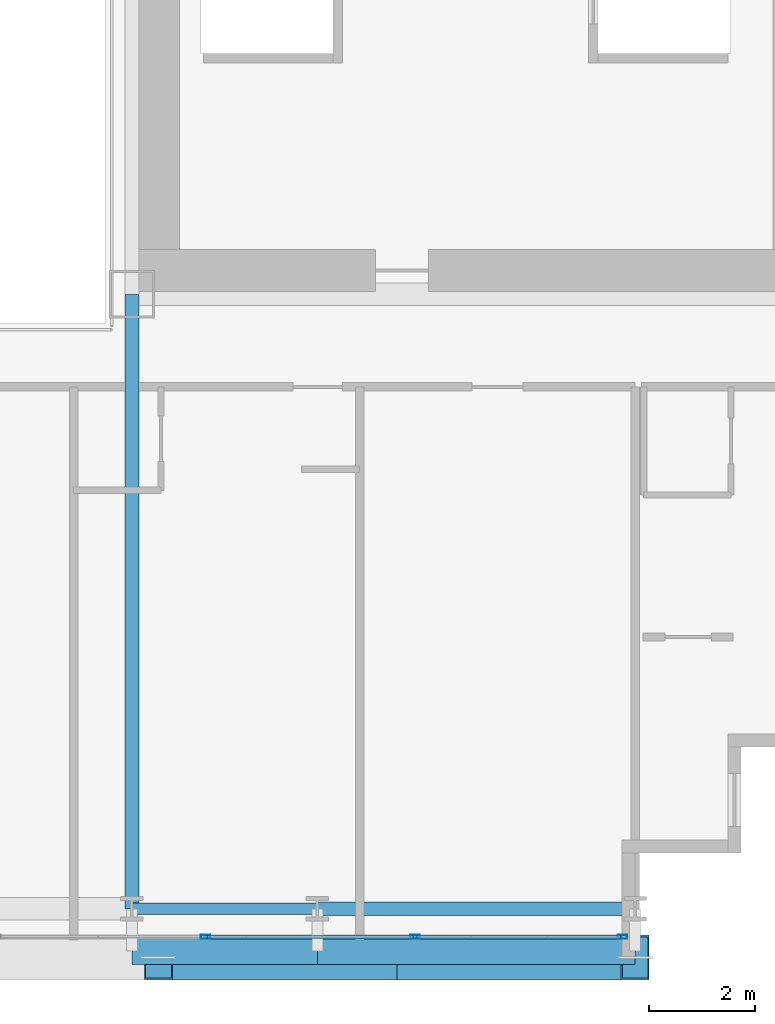
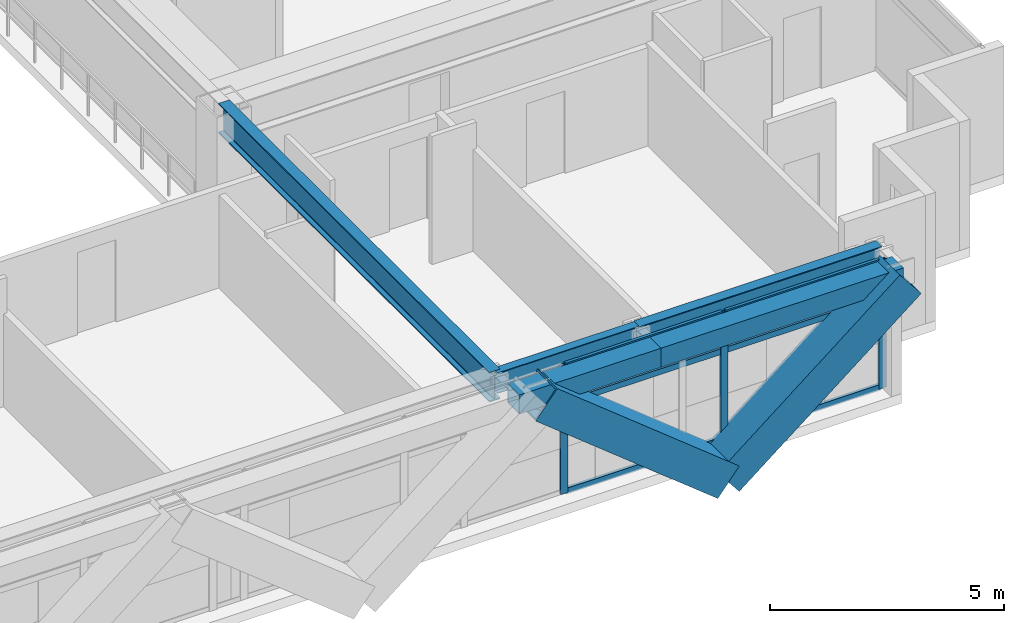
# One storey, part 10 of 38: 11 members, 5 beams, 1 element without a shape of its own.
"""IFC4 building model written with IfcOpenShell, lengths in metres."""

import ifcopenshell
import ifcopenshell.guid

model = None  # the IFC model being written
_history = None  # IfcOwnerHistory: only IFC2X3 demands one
_inside = {}  # id of a spatial element -> (the spatial element, [elements in it])
_under = {}  # id of a project, library or spatial element -> (it, [spatial elements below it])
_declared = {}  # id of a project -> (the project, [libraries it declares])
_typed = {}  # id of a type object -> (the type object, [elements of that type])
_made_of = {}  # id of a material, layer set ... -> (it, [elements and type objects made of it])


def new_model(schema):
    """Start an empty IFC model of exactly this schema.

    Asked for "IFC4X3", IfcOpenShell would pick the latest addendum, in which some entities
    have other attributes; the version numbers below select the first issue.
    IFC2X3 requires an IfcOwnerHistory on every rooted entity: one is made here for all.
    """
    global model, _history
    if schema == "IFC4X3":
        model = ifcopenshell.file(schema_version=(4, 3, 0, 0))
    else:
        model = ifcopenshell.file(schema=schema)
    _inside.clear()
    _under.clear()
    _declared.clear()
    _typed.clear()
    _made_of.clear()
    _history = None
    if model.schema == "IFC2X3":
        org = make("IfcOrganization", Name="unknown")
        user = make(
            "IfcPersonAndOrganization",
            ThePerson=make("IfcPerson", FamilyName="unknown"),
            TheOrganization=org,
        )
        app = make(
            "IfcApplication",
            ApplicationDeveloper=org,
            Version="unknown",
            ApplicationFullName="unknown",
            ApplicationIdentifier="unknown",
        )
        _history = make(
            "IfcOwnerHistory",
            OwningUser=user,
            OwningApplication=app,
            ChangeAction="ADDED",
            CreationDate=0,
        )
    return model


def make(cls, **values):
    """One entity of the class cls with the attributes given. An attribute that is None is left unset."""
    return model.create_entity(
        cls, **{name: value for name, value in values.items() if value is not None}
    )


def rooted(cls, **values):
    """An entity with a GlobalId (a new one), such as an element, a storey or a relation."""
    return make(cls, GlobalId=ifcopenshell.guid.new(), OwnerHistory=_history, **values)


def si_unit(unit_type, name, prefix=None):
    """IfcSIUnit, for example si_unit("LENGTHUNIT", "METRE", prefix="MILLI")."""
    return make("IfcSIUnit", UnitType=unit_type, Prefix=prefix, Name=name)


def assignment(units):
    """IfcUnitAssignment: the units of a project."""
    return None if units is None else make("IfcUnitAssignment", Units=units)


def point(xyz):
    """IfcCartesianPoint."""
    return None if xyz is None else make("IfcCartesianPoint", Coordinates=xyz)


def direction(xyz):
    """IfcDirection."""
    return None if xyz is None else make("IfcDirection", DirectionRatios=xyz)


def frame(location, z_axis=None, x_axis=None):
    """IfcAxis2Placement3D, a coordinate frame: its origin and axes. An axis left out is left unset."""
    return make(
        "IfcAxis2Placement3D",
        Location=point(location),
        Axis=direction(z_axis),
        RefDirection=direction(x_axis),
    )


def frame_2d(location, x_axis=None):
    """IfcAxis2Placement2D, a coordinate frame in the plane: its origin and x axis."""
    return make(
        "IfcAxis2Placement2D", Location=point(location), RefDirection=direction(x_axis)
    )


def origin():
    """The frame at (0, 0, 0) with its axes left unset."""
    return frame((0.0, 0.0, 0.0))


def origin_2d():
    """The frame at (0, 0) in the plane with its x axis left unset."""
    return frame_2d((0.0, 0.0))


def place(relative_to, where):
    """IfcLocalPlacement: puts the frame where relative to a parent placement (None: the world)."""
    return make(
        "IfcLocalPlacement", PlacementRelTo=relative_to, RelativePlacement=where
    )


def context(
    kind, dimensions, precision=None, world=None, true_north=None, identifier=None
):
    """IfcGeometricRepresentationContext, for example the 3D "Model" context."""
    return make(
        "IfcGeometricRepresentationContext",
        ContextIdentifier=identifier,
        ContextType=kind,
        CoordinateSpaceDimension=dimensions,
        Precision=precision,
        WorldCoordinateSystem=world,
        TrueNorth=true_north,
    )


def subcontext(parent, identifier, kind, view, scale=None):
    """IfcGeometricRepresentationSubContext, for example "Body" below "Model"."""
    return make(
        "IfcGeometricRepresentationSubContext",
        ContextIdentifier=identifier,
        ContextType=kind,
        ParentContext=parent,
        TargetScale=scale,
        TargetView=view,
    )


def project(units=None, contexts=None):
    """IfcProject with its units and contexts."""
    return rooted(
        "IfcProject",
        Name="project",
        RepresentationContexts=contexts,
        UnitsInContext=assignment(units),
    )


def spatial(cls, under=None, at=None, **own):
    """A site, building, storey or space (cls), placed at a placement, below another one or the project."""
    s = rooted(cls, ObjectPlacement=at, **own)
    if under is not None:
        _under.setdefault(under.id(), (under, []))[1].append(s)
    return s


def profile(cls, at=None, kind="AREA", **sizes):
    """A parametric profile (cls). Its sizes go by their IFC names, for example OverallWidth=200.0."""
    return make(cls, ProfileType=kind, Position=at, **sizes)


def hollow_rectangle(**sizes):
    """IfcRectangleHollowProfileDef."""
    return profile("IfcRectangleHollowProfileDef", **sizes)


def i_section(**sizes):
    """IfcIShapeProfileDef."""
    return profile("IfcIShapeProfileDef", **sizes)


def extrude(swept, where, along, depth):
    """IfcExtrudedAreaSolid: the profile swept, set in the frame where, extruded along a direction by depth."""
    return make(
        "IfcExtrudedAreaSolid",
        SweptArea=swept,
        Position=where,
        ExtrudedDirection=direction(along),
        Depth=depth,
    )


def shape(context_of_items, identifier, shape_type, items):
    """IfcShapeRepresentation: the items that make up one representation, for example the "Body"."""
    return make(
        "IfcShapeRepresentation",
        ContextOfItems=context_of_items,
        RepresentationIdentifier=identifier,
        RepresentationType=shape_type,
        Items=items,
    )


def source(mapping_origin, context_of_items, identifier, shape_type, items):
    """IfcRepresentationMap: a shape defined once, which mapped items show again and again."""
    return make(
        "IfcRepresentationMap",
        MappingOrigin=mapping_origin,
        MappedRepresentation=shape(context_of_items, identifier, shape_type, items),
    )


def transform(
    local_origin,
    x_axis=None,
    y_axis=None,
    z_axis=None,
    scale=None,
    scale2=None,
    scale3=None,
    uniform=True,
):
    """IfcCartesianTransformationOperator3D, or its non-uniform kind. x_axis, y_axis, z_axis: its Axis1, 2, 3."""
    if uniform:
        return make(
            "IfcCartesianTransformationOperator3D",
            Axis1=direction(x_axis),
            Axis2=direction(y_axis),
            LocalOrigin=point(local_origin),
            Scale=scale,
            Axis3=direction(z_axis),
        )
    return make(
        "IfcCartesianTransformationOperator3DnonUniform",
        Axis1=direction(x_axis),
        Axis2=direction(y_axis),
        LocalOrigin=point(local_origin),
        Scale=scale,
        Axis3=direction(z_axis),
        Scale2=scale2,
        Scale3=scale3,
    )


def mapped(mapping_source, mapping_target):
    """IfcMappedItem: shows the shape of a source again, moved by a transform."""
    return make(
        "IfcMappedItem", MappingSource=mapping_source, MappingTarget=mapping_target
    )


def material(Name=None, Category=None):
    """IfcMaterial."""
    return make("IfcMaterial", Name=Name, Category=Category)


def layer(
    of_material, thickness, ventilated=None, Name=None, Category=None, Priority=None
):
    """IfcMaterialLayer: one layer of a wall or slab, of a material (None: an air gap)."""
    return make(
        "IfcMaterialLayer",
        Material=of_material,
        LayerThickness=thickness,
        IsVentilated=ventilated,
        Name=Name,
        Category=Category,
        Priority=Priority,
    )


def layer_set(layers, Name=None):
    """IfcMaterialLayerSet."""
    return make("IfcMaterialLayerSet", MaterialLayers=layers, LayerSetName=Name)


def material_profile(
    of_material, cross_section, Name=None, Category=None, Priority=None
):
    """IfcMaterialProfile: a cross section and its material."""
    return make(
        "IfcMaterialProfile",
        Name=Name,
        Material=of_material,
        Profile=cross_section,
        Priority=Priority,
        Category=Category,
    )


def profile_set(profiles, Name=None, composite=None):
    """IfcMaterialProfileSet."""
    return make(
        "IfcMaterialProfileSet",
        Name=Name,
        MaterialProfiles=profiles,
        CompositeProfile=composite,
    )


def made_of(thing, what):
    """Note that an element or type object is made of a material, layer set ...; save() writes the relation."""
    if what is not None:
        _made_of.setdefault(what.id(), (what, []))[1].append(thing)
    return thing


def type_object(cls, material=None, **own):
    """A type object (cls), such as IfcWallType, which elements share."""
    return made_of(rooted(cls, **own), material)


def element(
    cls,
    number,
    at=None,
    inside=None,
    cuts=None,
    type_object=None,
    material=None,
    context=None,
    identifier="Body",
    shape_type=None,
    held_by="IfcProductDefinitionShape",
    body=None,
    shapes=None,
    **own,
):
    """One element of the class cls, such as IfcWall. Its Tag is "e" and its number.

    at: its placement. inside: the storey or other place that contains it. cuts: it is an
    opening in that element (IfcRelVoidsElement). A single representation is given by context,
    identifier, shape_type and body (its items); several are given by shapes. held_by: the class
    of the entity that holds the representations. save() writes the other relations.
    """
    e = rooted(cls, Tag="e%d" % number, ObjectPlacement=at, **own)
    if body is not None:
        shapes = [shape(context, identifier, shape_type, body)]
    if shapes is not None:
        e.Representation = make(held_by, Representations=shapes)
    if inside is not None:
        _inside.setdefault(inside.id(), (inside, []))[1].append(e)
    if cuts is not None:
        rooted(
            "IfcRelVoidsElement", RelatingBuildingElement=cuts, RelatedOpeningElement=e
        )
    if type_object is not None:
        _typed.setdefault(type_object.id(), (type_object, []))[1].append(e)
    return made_of(e, material)


def aggregate(whole, parts):
    """IfcRelAggregates: a whole, such as a stair, and the parts it consists of."""
    return rooted("IfcRelAggregates", RelatingObject=whole, RelatedObjects=parts)


def save(model, path):
    """Write the relations noted so far, then the file.

    IfcRelAggregates (storeys below a building ...), IfcRelContainedInSpatialStructure (elements
    in a storey), IfcRelDefinesByType, IfcRelAssociatesMaterial and IfcRelDeclares: one each for
    every whole, place, type object, material and project.
    """
    for whole, parts in _under.values():
        aggregate(whole, parts)
    for where, things in _inside.values():
        rooted(
            "IfcRelContainedInSpatialStructure",
            RelatedElements=things,
            RelatingStructure=where,
        )
    for kind, things in _typed.values():
        rooted("IfcRelDefinesByType", RelatedObjects=things, RelatingType=kind)
    for what, things in _made_of.values():
        rooted("IfcRelAssociatesMaterial", RelatedObjects=things, RelatingMaterial=what)
    for by, libraries in _declared.values():
        rooted("IfcRelDeclares", RelatingContext=by, RelatedDefinitions=libraries)
    model.write(path)


model = new_model("IFC4")

# Units and contexts
model_context = context("Model", 3, precision=1e-05, world=origin(), true_north=direction((0.0, 1.0)))
body_context = subcontext(model_context, "Body", "Model", "MODEL_VIEW")
ifc_project = project(units=[si_unit("LENGTHUNIT", "METRE"), si_unit("AREAUNIT", "SQUARE_METRE"), si_unit("VOLUMEUNIT", "CUBIC_METRE"), si_unit("PLANEANGLEUNIT", "RADIAN"), si_unit("MASSUNIT", "GRAM", prefix="KILO")], contexts=[model_context])

# Site, building, storey
site_placement = place(None, origin())
site = spatial("IfcSite", under=ifc_project, at=site_placement, CompositionType="ELEMENT")
building_placement = place(site_placement, origin())
building = spatial("IfcBuilding", under=site, at=building_placement, Name="Ocotamira Hotel", CompositionType="ELEMENT")
storey_placement = place(building_placement, frame((0.0, 0.0, 45.60009765625)))
storey = spatial("IfcBuildingStorey", under=building, at=storey_placement, Name="L10", CompositionType="ELEMENT", Elevation=45.60009765625)

# Beams
ifc_material_1 = material(Name="Steel ASTM A992 Grade 50", Category="steel")
ifc_material_profile_1 = material_profile(ifc_material_1, i_section(OverallWidth=0.256103515625, OverallDepth=0.693115234375, WebThickness=0.014404296875, FlangeThickness=0.023681640625, FilletRadius=0.01611328125, at=origin_2d()), Name="W27X114")
ifc_profile_set_1 = profile_set([ifc_material_profile_1], Name="Steel ASTM A992 Grade 50")
beam_type_1 = type_object("IfcBeamType", Name="BM-PRIM-W27X114", PredefinedType="BEAM", material=ifc_profile_set_1)
shared_shape_1 = source(origin(), body_context, "Body", "SweptSolid", [
    extrude(i_section(OverallWidth=0.256103515625, OverallDepth=0.693115234375, WebThickness=0.014404296875, FlangeThickness=0.023681640625, FilletRadius=0.01611328125, at=origin_2d()), origin(), (0.0, 0.0, 1.0), 6.0),
])
beam_1_placement = place(storey_placement, frame((44.0, 2.949951171875, 3.00341796875), z_axis=(1.0, 0.0, 0.0), x_axis=(0.0, 1.0, 0.0)))
element("IfcBeam", 1, at=beam_1_placement, inside=storey, type_object=beam_type_1, Name="L10 Girder Y2.95 X44-50", PredefinedType="BEAM", context=body_context, shape_type="MappedRepresentation", body=[
    mapped(shared_shape_1, transform((0.0, 0.0, 0.0), scale=1.0)),
])
ifc_material_profile_2 = material_profile(ifc_material_1, i_section(OverallWidth=0.2099609375, OverallDepth=0.537109375, WebThickness=0.010986328125, FlangeThickness=0.017333984375, FilletRadius=0.012939453125, at=origin_2d()), Name="W21X68")
ifc_profile_set_2 = profile_set([ifc_material_profile_2], Name="Steel ASTM A992 Grade 50")
beam_type_2 = type_object("IfcBeamType", Name="BM-SEC-W21X68", PredefinedType="JOIST", material=ifc_profile_set_2)
shared_shape_2 = source(origin(), body_context, "Body", "SweptSolid", [
    extrude(i_section(OverallWidth=0.2099609375, OverallDepth=0.537109375, WebThickness=0.010986328125, FlangeThickness=0.017333984375, FilletRadius=0.012939453125, at=origin_2d()), origin(), (0.0, 0.0, 1.0), 3.5),
])
beam_2_placement = place(storey_placement, frame((40.5, 2.949951171875, 3.081298828125), z_axis=(1.0, 0.0, 0.0), x_axis=(0.0, 1.0, 0.0)))
element("IfcBeam", 2, at=beam_2_placement, inside=storey, type_object=beam_type_2, Name="L10 Girder Y2.95 X40.5-44", PredefinedType="JOIST", context=body_context, shape_type="MappedRepresentation", body=[
    mapped(shared_shape_2, transform((0.0, 0.0, 0.0), scale=1.0)),
])
ifc_material_profile_3 = material_profile(ifc_material_1, i_section(OverallWidth=0.26611328125, OverallDepth=0.779052734375, WebThickness=0.0166015625, FlangeThickness=0.030029296875, FilletRadius=0.01806640625, at=origin_2d()), Name="W30X148")
ifc_profile_set_3 = profile_set([ifc_material_profile_3], Name="Steel ASTM A992 Grade 50")
beam_type_3 = type_object("IfcBeamType", Name="BM-GIRD-W30X148", PredefinedType="BEAM", material=ifc_profile_set_3)
shared_shape_3 = source(origin(), body_context, "Body", "SweptSolid", [
    extrude(i_section(OverallWidth=0.26611328125, OverallDepth=0.779052734375, WebThickness=0.0166015625, FlangeThickness=0.030029296875, FilletRadius=0.01806640625, at=origin_2d()), origin(), (0.0, 0.0, 1.0), 11.60009765625),
])
beam_3_placement = place(storey_placement, frame((40.5, 2.949951171875, 2.96044921875), z_axis=(0.0, 1.0, 0.0), x_axis=(-1.0, 0.0, 0.0)))
element("IfcBeam", 3, at=beam_3_placement, inside=storey, type_object=beam_type_3, Name="L10 Beam X40.5 Y2.95-14.55", PredefinedType="BEAM", context=body_context, shape_type="MappedRepresentation", body=[
    mapped(shared_shape_3, transform((0.0, 0.0, 0.0), scale=1.0)),
])
ifc_material_2 = material(Name="Steel ASTM A500 Grade C", Category="steel")
ifc_material_profile_4 = material_profile(ifc_material_2, hollow_rectangle(XDim=0.5, YDim=0.5, WallThickness=0.02001953125, at=origin_2d()), Name="HSS500X500X20")
ifc_profile_set_4 = profile_set([ifc_material_profile_4], Name="Steel ASTM A500 Grade C")
beam_type_4 = type_object("IfcBeamType", Name="BM-SPAN-HSS500", PredefinedType="USERDEFINED", material=ifc_profile_set_4)
shared_shape_4 = source(origin(), body_context, "Body", "SweptSolid", [
    extrude(hollow_rectangle(XDim=0.5, YDim=0.5, WallThickness=0.02001953125, at=origin_2d()), origin(), (0.0, 0.0, 1.0), 6.0),
])
beam_4_placement = place(storey_placement, frame((44.0, 2.14990234375, 3.099853515625), z_axis=(1.0, 0.0, 0.0), x_axis=(0.0, 1.0, 0.0)))
element("IfcBeam", 4, at=beam_4_placement, inside=storey, type_object=beam_type_4, Name="L10 Edge Spandrel S X44-50", ObjectType="SPANDREL", PredefinedType="USERDEFINED", context=body_context, shape_type="MappedRepresentation", body=[
    mapped(shared_shape_4, transform((0.0, 0.0, 0.0), scale=1.0)),
])
shared_shape_5 = source(origin(), body_context, "Body", "SweptSolid", [
    extrude(hollow_rectangle(XDim=0.5, YDim=0.5, WallThickness=0.02001953125, at=origin_2d()), origin(), (0.0, 0.0, 1.0), 3.5),
])
beam_5_placement = place(storey_placement, frame((40.5, 2.14990234375, 3.099853515625), z_axis=(1.0, 0.0, 0.0), x_axis=(0.0, 1.0, 0.0)))
element("IfcBeam", 5, at=beam_5_placement, inside=storey, type_object=beam_type_4, Name="L10 Edge Spandrel S X40.5-44", ObjectType="SPANDREL", PredefinedType="USERDEFINED", context=body_context, shape_type="MappedRepresentation", body=[
    mapped(shared_shape_5, transform((0.0, 0.0, 0.0), scale=1.0)),
])

# Members
ifc_material_3 = material(Name="Pale-metal coated steel ASTM A913 Grade 65", Category="steel")
ifc_material_profile_5 = material_profile(ifc_material_3, hollow_rectangle(XDim=0.85009765625, YDim=0.85009765625, WallThickness=0.035888671875, at=origin_2d()), Name="BOX850X850X36")
ifc_profile_set_5 = profile_set([ifc_material_profile_5], Name="Pale-metal coated steel ASTM A913 Grade 65")
member_type_1 = type_object("IfcMemberType", Name="MEM-EXO-BOX850", PredefinedType="BRACE", material=ifc_profile_set_5)
shared_shape_6 = source(origin(), body_context, "Body", "SweptSolid", [
    extrude(hollow_rectangle(XDim=0.85009765625, YDim=0.85009765625, WallThickness=0.035888671875, at=origin_2d()), origin(), (0.0, 0.0, 1.0), 5.7626953125),
])
for number, where, z_axis, x_axis, name in (
    (6, (45.5, 2.030029296875, -0.5), (-0.780881208953, 0.0, 0.624679547852), (0.0, -1.0, 0.0), "L10 Exoskeleton Diagrid S3.1"),
    (7, (45.5, 2.030029296875, -0.5), (0.780881208953, 0.0, 0.624679547852), (0.0, 1.0, 0.0), "L10 Exoskeleton Diagrid S3.2"),
):
    element("IfcMember", number, at=place(storey_placement, frame(where, z_axis=z_axis, x_axis=x_axis)), inside=storey, type_object=member_type_1, Name=name, PredefinedType="BRACE", context=body_context, shape_type="MappedRepresentation", body=[
        mapped(shared_shape_6, transform((0.0, 0.0, 0.0), scale=1.0)),
    ])

# Curtain wall, members
ifc_material_4 = material(Name="Anodised pale-metal aluminium and solar glass", Category="aluminium")
ifc_layer = layer(ifc_material_4, 0.179931640625)
ifc_layer_set = layer_set([ifc_layer], Name="Anodised pale-metal aluminium and solar glass")
curtain_wall_type = type_object("IfcCurtainWallType", Name="CW-SYS2-Z1", PredefinedType="NOTDEFINED", material=ifc_layer_set)
curtain_wall_placement = place(storey_placement, origin())
curtain_wall = element("IfcCurtainWall", 8, at=curtain_wall_placement, inside=storey, type_object=curtain_wall_type, Name="L10 Curtain Wall CW-2 CW-L10-S1", PredefinedType="NOTDEFINED")
ifc_material_5 = material(Name="Anodised pale-metal aluminium 6063-T6", Category="aluminium")
ifc_material_profile_6 = material_profile(ifc_material_5, hollow_rectangle(XDim=0.080078125, YDim=0.179931640625, WallThickness=0.006103515625, at=origin_2d()), Name="HSS180X80X6")
ifc_profile_set_6 = profile_set([ifc_material_profile_6], Name="Anodised pale-metal aluminium 6063-T6")
member_type_2 = type_object("IfcMemberType", Name="CWM-180X75", PredefinedType="MULLION", material=ifc_profile_set_6)
shared_shape_7 = source(origin(), body_context, "Body", "SweptSolid", [
    extrude(hollow_rectangle(XDim=0.080078125, YDim=0.179931640625, WallThickness=0.006103515625, at=origin_2d()), origin(), (0.0, 0.0, 1.0), 3.349853515625),
])
member_1_placement = place(storey_placement, frame((41.888916015625, 2.419921875, 0.0), z_axis=(0.0, 0.0, 1.0), x_axis=(0.0, 1.0, 0.0)))
member_1 = element("IfcMember", 9, at=member_1_placement, type_object=member_type_2, Name="CW-2 mullion 8", PredefinedType="MULLION", context=body_context, shape_type="MappedRepresentation", body=[
    mapped(shared_shape_7, transform((0.0, 0.0, 0.0), scale=1.0)),
])
member_2_placement = place(storey_placement, frame((45.844482421875, 2.419921875, 0.0), z_axis=(0.0, 0.0, 1.0), x_axis=(0.0, 1.0, 0.0)))
member_2 = element("IfcMember", 10, at=member_2_placement, type_object=member_type_2, Name="CW-2 mullion 9", PredefinedType="MULLION", context=body_context, shape_type="MappedRepresentation", body=[
    mapped(shared_shape_7, transform((0.0, 0.0, 0.0), scale=1.0)),
])
member_3_placement = place(storey_placement, frame((49.760009765625, 2.419921875, 0.0), z_axis=(0.0, 0.0, 1.0), x_axis=(0.0, 1.0, 0.0)))
member_3 = element("IfcMember", 11, at=member_3_placement, type_object=member_type_2, Name="CW-2 mullion 10", PredefinedType="MULLION", context=body_context, shape_type="MappedRepresentation", body=[
    mapped(shared_shape_7, transform((0.0, 0.0, 0.0), scale=1.0)),
])
ifc_material_profile_7 = material_profile(ifc_material_5, hollow_rectangle(XDim=0.074951171875, YDim=0.14990234375, WallThickness=0.006103515625, at=origin_2d()), Name="HSS150X75X6")
ifc_profile_set_7 = profile_set([ifc_material_profile_7], Name="Anodised pale-metal aluminium 6063-T6")
member_type_3 = type_object("IfcMemberType", Name="CWT-150X75", PredefinedType="USERDEFINED", material=ifc_profile_set_7)
shared_shape_8 = source(origin(), body_context, "Body", "SweptSolid", [
    extrude(hollow_rectangle(XDim=0.074951171875, YDim=0.14990234375, WallThickness=0.006103515625, at=origin_2d()), origin(), (0.0, 0.0, 1.0), 3.83544921875),
])
member_4_placement = place(storey_placement, frame((45.884521484375, 2.419921875, 0.037353515625), z_axis=(1.0, 0.0, 0.0), x_axis=(0.0, 1.0, 0.0)))
member_4 = element("IfcMember", 12, at=member_4_placement, type_object=member_type_3, Name="CW-2 transom 9.1", ObjectType="TRANSOM", PredefinedType="USERDEFINED", context=body_context, shape_type="MappedRepresentation", body=[
    mapped(shared_shape_8, transform((0.0, 0.0, 0.0), scale=1.0)),
])
member_5_placement = place(storey_placement, frame((45.884521484375, 2.419921875, 2.349853515625), z_axis=(1.0, 0.0, 0.0), x_axis=(0.0, 1.0, 0.0)))
member_5 = element("IfcMember", 13, at=member_5_placement, type_object=member_type_3, Name="CW-2 transom 9.2", ObjectType="TRANSOM", PredefinedType="USERDEFINED", context=body_context, shape_type="MappedRepresentation", body=[
    mapped(shared_shape_8, transform((0.0, 0.0, 0.0), scale=1.0)),
])
member_6_placement = place(storey_placement, frame((45.884521484375, 2.419921875, 3.3125), z_axis=(1.0, 0.0, 0.0), x_axis=(0.0, 1.0, 0.0)))
member_6 = element("IfcMember", 14, at=member_6_placement, type_object=member_type_3, Name="CW-2 transom 9.3", ObjectType="TRANSOM", PredefinedType="USERDEFINED", context=body_context, shape_type="MappedRepresentation", body=[
    mapped(shared_shape_8, transform((0.0, 0.0, 0.0), scale=1.0)),
])
shared_shape_9 = source(origin(), body_context, "Body", "SweptSolid", [
    extrude(hollow_rectangle(XDim=0.074951171875, YDim=0.14990234375, WallThickness=0.006103515625, at=origin_2d()), origin(), (0.0, 0.0, 1.0), 3.87548828125),
])
member_7_placement = place(storey_placement, frame((41.928955078125, 2.419921875, 0.037353515625), z_axis=(1.0, 0.0, 0.0), x_axis=(0.0, 1.0, 0.0)))
member_7 = element("IfcMember", 15, at=member_7_placement, type_object=member_type_3, Name="CW-2 transom 8.1", ObjectType="TRANSOM", PredefinedType="USERDEFINED", context=body_context, shape_type="MappedRepresentation", body=[
    mapped(shared_shape_9, transform((0.0, 0.0, 0.0), scale=1.0)),
])
member_8_placement = place(storey_placement, frame((41.928955078125, 2.419921875, 2.349853515625), z_axis=(1.0, 0.0, 0.0), x_axis=(0.0, 1.0, 0.0)))
member_8 = element("IfcMember", 16, at=member_8_placement, type_object=member_type_3, Name="CW-2 transom 8.2", ObjectType="TRANSOM", PredefinedType="USERDEFINED", context=body_context, shape_type="MappedRepresentation", body=[
    mapped(shared_shape_9, transform((0.0, 0.0, 0.0), scale=1.0)),
])
member_9_placement = place(storey_placement, frame((41.928955078125, 2.419921875, 3.3125), z_axis=(1.0, 0.0, 0.0), x_axis=(0.0, 1.0, 0.0)))
member_9 = element("IfcMember", 17, at=member_9_placement, type_object=member_type_3, Name="CW-2 transom 8.3", ObjectType="TRANSOM", PredefinedType="USERDEFINED", context=body_context, shape_type="MappedRepresentation", body=[
    mapped(shared_shape_9, transform((0.0, 0.0, 0.0), scale=1.0)),
])
aggregate(curtain_wall, [member_1, member_2, member_3, member_7, member_8, member_9, member_4, member_5, member_6])

save(model, "model.ifc")
